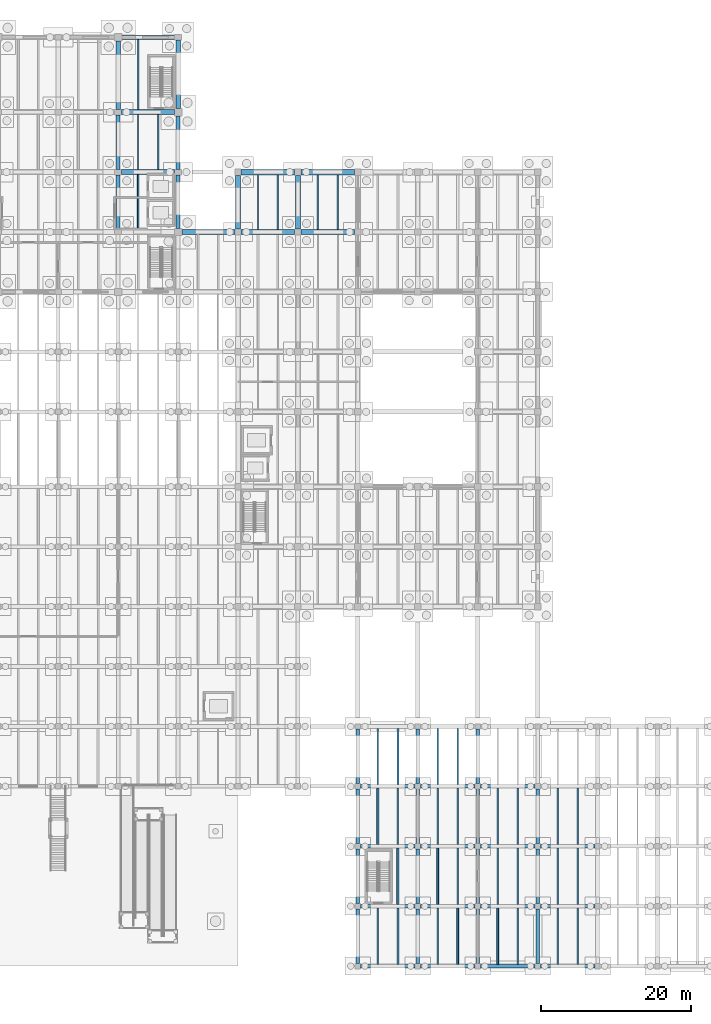
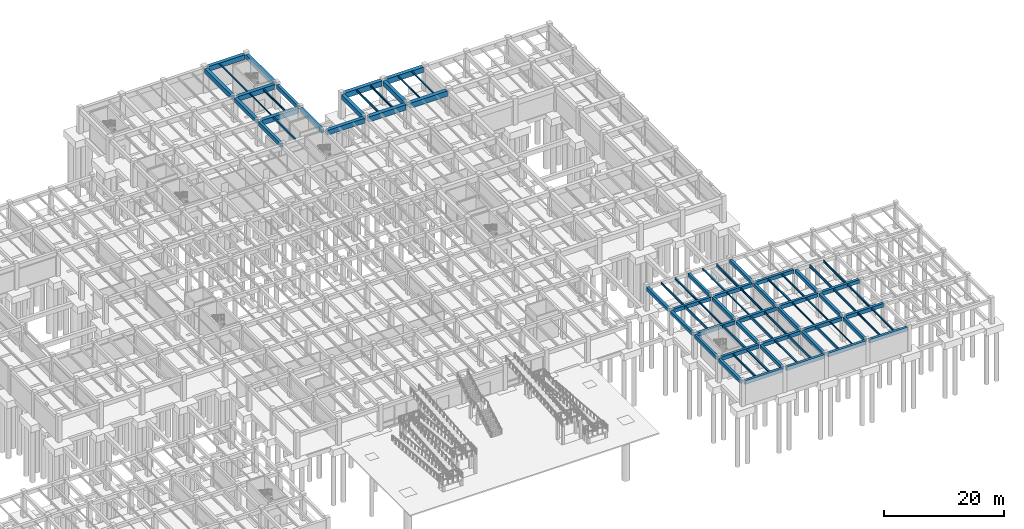
# One storey, part 20 of 44: 81 beams.
"""IFC4 building model written with IfcOpenShell, lengths in metres."""

from ifc_helpers import new_model, si_unit, direction, frame, origin, origin_2d, place, context, subcontext, project, spatial, rectangle, i_section, extrude, material, material_profile, profile_set, type_object, element, save


model = new_model("IFC4")

# Units and contexts
model_context = context("Model", 3, precision=1e-05, world=origin(), true_north=direction((0.0, 1.0)))
body_context = subcontext(model_context, "Body", "Model", "MODEL_VIEW")
ifc_project = project(units=[si_unit("LENGTHUNIT", "METRE"), si_unit("AREAUNIT", "SQUARE_METRE"), si_unit("VOLUMEUNIT", "CUBIC_METRE"), si_unit("PLANEANGLEUNIT", "RADIAN"), si_unit("MASSUNIT", "GRAM", prefix="KILO")], contexts=[model_context])

# Site, building, storey
site_placement = place(None, origin())
site = spatial("IfcSite", under=ifc_project, at=site_placement, CompositionType="ELEMENT")
building_placement = place(site_placement, origin())
building = spatial("IfcBuilding", under=site, at=building_placement, Name="Pecanmere Concourse Central Library", CompositionType="ELEMENT")
storey_placement = place(building_placement, frame((0.0, 0.0, -5.39990234375)))
storey = spatial("IfcBuildingStorey", under=building, at=storey_placement, Name="B1", CompositionType="ELEMENT", Elevation=-5.39990234375)

# Beams
ifc_material_1 = material(Name="Concrete C40/50", Category="concrete")
ifc_material_profile_1 = material_profile(ifc_material_1, rectangle(XDim=0.47998046875, YDim=0.679931640625, at=origin_2d()), Name="RC 480x680")
ifc_profile_set_1 = profile_set([ifc_material_profile_1], Name="Concrete C40/50")
beam_type_1 = type_object("IfcBeamType", Name="GRD_480x680", PredefinedType="USERDEFINED", material=ifc_profile_set_1)
for number, where, z_axis, x_axis, name in (
    (1, (128.0, 0.35009765625, 4.639892578125), (0.0, 1.0, 0.0), (-1.0, 0.0, 0.0), "Primary Girder Y L01-0364"),
    (2, (128.0, 8.35009765625, 4.639892578125), (0.0, 1.0, 0.0), (-1.0, 0.0, 0.0), "Primary Girder Y L01-0365"),
    (3, (128.0, 16.35009765625, 4.639892578125), (0.0, 1.0, 0.0), (-1.0, 0.0, 0.0), "Primary Girder Y L01-0366"),
    (4, (128.0, 24.35009765625, 4.639892578125), (0.0, 1.0, 0.0), (-1.0, 0.0, 0.0), "Primary Girder Y L01-0367"),
    (5, (136.0, 0.35009765625, 4.639892578125), (0.0, 1.0, 0.0), (-1.0, 0.0, 0.0), "Primary Girder Y L01-0375"),
    (6, (136.0, 8.35009765625, 4.639892578125), (0.0, 1.0, 0.0), (-1.0, 0.0, 0.0), "Primary Girder Y L01-0376"),
    (7, (136.0, 16.35009765625, 4.639892578125), (0.0, 1.0, 0.0), (-1.0, 0.0, 0.0), "Primary Girder Y L01-0377"),
    (8, (136.0, 24.35009765625, 4.639892578125), (0.0, 1.0, 0.0), (-1.0, 0.0, 0.0), "Primary Girder Y L01-0378"),
    (9, (144.0, 0.35009765625, 4.639892578125), (0.0, 1.0, 0.0), (-1.0, 0.0, 0.0), "Primary Girder Y L01-0383"),
    (10, (144.0, 8.35009765625, 4.639892578125), (0.0, 1.0, 0.0), (-1.0, 0.0, 0.0), "Primary Girder Y L01-0384"),
    (11, (144.0, 16.35009765625, 4.639892578125), (0.0, 1.0, 0.0), (-1.0, 0.0, 0.0), "Primary Girder Y L01-0385"),
    (12, (144.0, 24.35009765625, 4.639892578125), (0.0, 1.0, 0.0), (-1.0, 0.0, 0.0), "Primary Girder Y L01-0386"),
    (13, (152.0, 0.35009765625, 4.639892578125), (0.0, 1.0, 0.0), (-1.0, 0.0, 0.0), "Primary Girder Y L01-0394"),
    (14, (152.0, 8.35009765625, 4.639892578125), (0.0, 1.0, 0.0), (-1.0, 0.0, 0.0), "Primary Girder Y L01-0395"),
    (15, (152.0, 16.35009765625, 4.639892578125), (0.0, 1.0, 0.0), (-1.0, 0.0, 0.0), "Primary Girder Y L01-0396"),
):
    element("IfcBeam", number, at=place(storey_placement, frame(where, z_axis=z_axis, x_axis=x_axis)), inside=storey, type_object=beam_type_1, Name=name, ObjectType="GIRDER", PredefinedType="USERDEFINED", context=body_context, shape_type="SweptSolid", body=[
        extrude(rectangle(XDim=0.47998046875, YDim=0.679931640625, at=origin_2d()), origin(), (0.0, 0.0, 1.0), 7.2998046875),
    ])
ifc_material_2 = material(Name="Concrete C40/50", Category="concrete")
ifc_material_profile_2 = material_profile(ifc_material_2, rectangle(XDim=0.5, YDim=0.739990234375, at=origin_2d()), Name="RC 500x740")
ifc_profile_set_2 = profile_set([ifc_material_profile_2], Name="Concrete C40/50")
beam_type_2 = type_object("IfcBeamType", Name="GRD_500x740", PredefinedType="USERDEFINED", material=ifc_profile_set_2)
for number, where, z_axis, x_axis, name in (
    (16, (128.35009765625, 0.0, 4.60986328125), (1.0, 0.0, 0.0), (0.0, 1.0, 0.0), "Primary Girder X L01-0007"),
    (17, (136.35009765625, 0.0, 4.60986328125), (1.0, 0.0, 0.0), (0.0, 1.0, 0.0), "Primary Girder X L01-0008"),
    (18, (144.35009765625, 0.0, 4.60986328125), (1.0, 0.0, 0.0), (0.0, 1.0, 0.0), "Primary Girder X L01-0009"),
    (19, (152.35009765625, 0.0, 4.60986328125), (1.0, 0.0, 0.0), (0.0, 1.0, 0.0), "Primary Girder X L01-0010"),
    (20, (128.35009765625, 8.0, 4.60986328125), (1.0, 0.0, 0.0), (0.0, 1.0, 0.0), "Primary Girder X L01-0019"),
    (21, (136.35009765625, 8.0, 4.60986328125), (1.0, 0.0, 0.0), (0.0, 1.0, 0.0), "Primary Girder X L01-0020"),
    (22, (144.35009765625, 8.0, 4.60986328125), (1.0, 0.0, 0.0), (0.0, 1.0, 0.0), "Primary Girder X L01-0021"),
    (23, (152.35009765625, 8.0, 4.60986328125), (1.0, 0.0, 0.0), (0.0, 1.0, 0.0), "Primary Girder X L01-0022"),
    (24, (128.35009765625, 16.0, 4.60986328125), (1.0, 0.0, 0.0), (0.0, 1.0, 0.0), "Primary Girder X L01-0031"),
    (25, (136.35009765625, 16.0, 4.60986328125), (1.0, 0.0, 0.0), (0.0, 1.0, 0.0), "Primary Girder X L01-0032"),
    (26, (144.35009765625, 16.0, 4.60986328125), (1.0, 0.0, 0.0), (0.0, 1.0, 0.0), "Primary Girder X L01-0033"),
    (27, (152.35009765625, 16.0, 4.60986328125), (1.0, 0.0, 0.0), (0.0, 1.0, 0.0), "Primary Girder X L01-0034"),
    (28, (128.35009765625, 24.0, 4.60986328125), (1.0, 0.0, 0.0), (0.0, 1.0, 0.0), "Primary Girder X L01-0051"),
    (29, (136.35009765625, 24.0, 4.60986328125), (1.0, 0.0, 0.0), (0.0, 1.0, 0.0), "Primary Girder X L01-0052"),
    (30, (144.35009765625, 24.0, 4.60986328125), (1.0, 0.0, 0.0), (0.0, 1.0, 0.0), "Primary Girder X L01-0053"),
):
    element("IfcBeam", number, at=place(storey_placement, frame(where, z_axis=z_axis, x_axis=x_axis)), inside=storey, type_object=beam_type_2, Name=name, ObjectType="GIRDER", PredefinedType="USERDEFINED", context=body_context, shape_type="SweptSolid", body=[
        extrude(rectangle(XDim=0.5, YDim=0.739990234375, at=origin_2d()), origin(), (0.0, 0.0, 1.0), 7.2998046875),
    ])
ifc_material_3 = material(Name="Concrete C40/50", Category="concrete")
ifc_material_profile_3 = material_profile(ifc_material_3, rectangle(XDim=0.5400390625, YDim=0.800048828125, at=origin_2d()), Name="RC 540x800")
ifc_profile_set_3 = profile_set([ifc_material_profile_3], Name="Concrete C40/50")
beam_type_3 = type_object("IfcBeamType", Name="GRD_540x800", PredefinedType="USERDEFINED", material=ifc_profile_set_3)
for number, where, z_axis, x_axis, name in (
    (31, (96.0, 98.360107421875, 4.579833984375), (0.0, 1.0, 0.0), (-1.0, 0.0, 0.0), "Primary Girder Y L01-0329"),
    (32, (96.0, 106.360107421875, 4.579833984375), (0.0, 1.0, 0.0), (-1.0, 0.0, 0.0), "Primary Girder Y L01-0330"),
):
    element("IfcBeam", number, at=place(storey_placement, frame(where, z_axis=z_axis, x_axis=x_axis)), inside=storey, type_object=beam_type_3, Name=name, ObjectType="GIRDER", PredefinedType="USERDEFINED", context=body_context, shape_type="SweptSolid", body=[
        extrude(rectangle(XDim=0.5400390625, YDim=0.800048828125, at=origin_2d()), origin(), (0.0, 0.0, 1.0), 7.27978515625),
    ])
for number, where, z_axis, x_axis, name in (
    (33, (104.0, 98.489990234375, 4.579833984375), (0.0, 1.0, 0.0), (-1.0, 0.0, 0.0), "Primary Girder Y L01-0341"),
    (34, (104.0, 106.360107421875, 4.579833984375), (0.0, 1.0, 0.0), (-1.0, 0.0, 0.0), "Primary Girder Y L01-0342"),
):
    element("IfcBeam", number, at=place(storey_placement, frame(where, z_axis=z_axis, x_axis=x_axis)), inside=storey, type_object=beam_type_3, Name=name, ObjectType="GIRDER", PredefinedType="USERDEFINED", context=body_context, shape_type="SweptSolid", body=[
        extrude(rectangle(XDim=0.5400390625, YDim=0.800048828125, at=origin_2d()), origin(), (0.0, 0.0, 1.0), 7.14990234375),
    ])
ifc_material_4 = material(Name="Concrete C40/50", Category="concrete")
ifc_material_profile_4 = material_profile(ifc_material_4, rectangle(XDim=0.6201171875, YDim=0.919921875, at=origin_2d()), Name="RC 620x920")
ifc_profile_set_4 = profile_set([ifc_material_profile_4], Name="Concrete C40/50")
beam_type_4 = type_object("IfcBeamType", Name="GRD_620x920", PredefinedType="USERDEFINED", material=ifc_profile_set_4)
for number, where, z_axis, x_axis, name in (
    (35, (96.0, 114.360107421875, 4.52001953125), (0.0, 1.0, 0.0), (-1.0, 0.0, 0.0), "Primary Girder Y L01-0331"),
    (36, (104.0, 114.489990234375, 4.52001953125), (0.0, 1.0, 0.0), (-1.0, 0.0, 0.0), "Primary Girder Y L01-0343"),
):
    element("IfcBeam", number, at=place(storey_placement, frame(where, z_axis=z_axis, x_axis=x_axis)), inside=storey, type_object=beam_type_4, Name=name, ObjectType="GIRDER", PredefinedType="USERDEFINED", context=body_context, shape_type="SweptSolid", body=[
        extrude(rectangle(XDim=0.6201171875, YDim=0.919921875, at=origin_2d()), origin(), (0.0, 0.0, 1.0), 9.14990234375),
    ])
ifc_material_5 = material(Name="Concrete C40/50", Category="concrete")
ifc_material_profile_5 = material_profile(ifc_material_5, rectangle(XDim=0.639892578125, YDim=0.949951171875, at=origin_2d()), Name="RC 640x950")
ifc_profile_set_5 = profile_set([ifc_material_profile_5], Name="Concrete C40/50")
beam_type_5 = type_object("IfcBeamType", Name="GRD_640x950", PredefinedType="USERDEFINED", material=ifc_profile_set_5)
for number, where, z_axis, x_axis, name in (
    (37, (112.0, 98.429931640625, 4.5048828125), (0.0, 1.0, 0.0), (-1.0, 0.0, 0.0), "Primary Girder Y L01-0353"),
    (38, (120.0, 98.429931640625, 4.5048828125), (0.0, 1.0, 0.0), (-1.0, 0.0, 0.0), "Primary Girder Y L01-0363"),
):
    element("IfcBeam", number, at=place(storey_placement, frame(where, z_axis=z_axis, x_axis=x_axis)), inside=storey, type_object=beam_type_5, Name=name, ObjectType="GIRDER", PredefinedType="USERDEFINED", context=body_context, shape_type="SweptSolid", body=[
        extrude(rectangle(XDim=0.639892578125, YDim=0.949951171875, at=origin_2d()), origin(), (0.0, 0.0, 1.0), 7.14013671875),
    ])
ifc_material_6 = material(Name="Concrete C40/50", Category="concrete")
ifc_material_profile_6 = material_profile(ifc_material_6, rectangle(XDim=0.659912109375, YDim=0.97998046875, at=origin_2d()), Name="RC 660x980")
ifc_profile_set_6 = profile_set([ifc_material_profile_6], Name="Concrete C40/50")
beam_type_6 = type_object("IfcBeamType", Name="GRD_660x980", PredefinedType="USERDEFINED", material=ifc_profile_set_6)
for number, where, z_axis, x_axis, name in (
    (39, (104.489990234375, 98.0, 4.489990234375), (1.0, 0.0, 0.0), (0.0, 1.0, 0.0), "Primary Girder X L01-0183"),
    (40, (96.4599609375, 106.0, 4.489990234375), (1.0, 0.0, 0.0), (0.0, 1.0, 0.0), "Primary Girder X L01-0197"),
):
    element("IfcBeam", number, at=place(storey_placement, frame(where, z_axis=z_axis, x_axis=x_axis)), inside=storey, type_object=beam_type_6, Name=name, ObjectType="GIRDER", PredefinedType="USERDEFINED", context=body_context, shape_type="SweptSolid", body=[
        extrude(rectangle(XDim=0.659912109375, YDim=0.97998046875, at=origin_2d()), origin(), (0.0, 0.0, 1.0), 7.080078125),
    ])
for number, where, z_axis, x_axis, name in (
    (41, (96.4599609375, 114.0, 4.489990234375), (1.0, 0.0, 0.0), (0.0, 1.0, 0.0), "Primary Girder X L01-0206"),
    (42, (96.489990234375, 124.0, 4.489990234375), (1.0, 0.0, 0.0), (0.0, 1.0, 0.0), "Primary Girder X L01-0210"),
):
    element("IfcBeam", number, at=place(storey_placement, frame(where, z_axis=z_axis, x_axis=x_axis)), inside=storey, type_object=beam_type_6, Name=name, ObjectType="GIRDER", PredefinedType="USERDEFINED", context=body_context, shape_type="SweptSolid", body=[
        extrude(rectangle(XDim=0.659912109375, YDim=0.97998046875, at=origin_2d()), origin(), (0.0, 0.0, 1.0), 7.050048828125),
    ])
ifc_material_7 = material(Name="Concrete C40/50", Category="concrete")
ifc_material_profile_7 = material_profile(ifc_material_7, rectangle(XDim=0.719970703125, YDim=1.080078125, at=origin_2d()), Name="RC 720x1080")
ifc_profile_set_7 = profile_set([ifc_material_profile_7], Name="Concrete C40/50")
beam_type_7 = type_object("IfcBeamType", Name="GRD_720x1080", PredefinedType="USERDEFINED", material=ifc_profile_set_7)
for number, where, z_axis, x_axis, name in (
    (43, (112.429931640625, 98.0, 4.43994140625), (1.0, 0.0, 0.0), (0.0, 1.0, 0.0), "Primary Girder X L01-0184"),
    (44, (120.429931640625, 98.0, 4.43994140625), (1.0, 0.0, 0.0), (0.0, 1.0, 0.0), "Primary Girder X L01-0185"),
    (45, (112.429931640625, 106.0, 4.43994140625), (1.0, 0.0, 0.0), (0.0, 1.0, 0.0), "Primary Girder X L01-0198"),
    (46, (120.429931640625, 106.0, 4.43994140625), (1.0, 0.0, 0.0), (0.0, 1.0, 0.0), "Primary Girder X L01-0199"),
):
    element("IfcBeam", number, at=place(storey_placement, frame(where, z_axis=z_axis, x_axis=x_axis)), inside=storey, type_object=beam_type_7, Name=name, ObjectType="GIRDER", PredefinedType="USERDEFINED", context=body_context, shape_type="SweptSolid", body=[
        extrude(rectangle(XDim=0.719970703125, YDim=1.080078125, at=origin_2d()), origin(), (0.0, 0.0, 1.0), 7.14013671875),
    ])
ifc_material_8 = material(Name="Concrete C40/50", Category="concrete")
ifc_material_profile_8 = material_profile(ifc_material_8, rectangle(XDim=0.219970703125, YDim=0.409912109375, at=origin_2d()), Name="RC 220x410")
ifc_profile_set_8 = profile_set([ifc_material_profile_8], Name="Concrete C40/50")
beam_type_8 = type_object("IfcBeamType", Name="JST_RC_220x410", PredefinedType="JOIST", material=ifc_profile_set_8)
beam_1_placement = place(storey_placement, frame((98.666748046875, 98.330078125, 4.77490234375), z_axis=(0.0, 1.0, 0.0), x_axis=(-1.0, 0.0, 0.0)))
element("IfcBeam", 47, at=beam_1_placement, inside=storey, type_object=beam_type_8, Name="Secondary Floor Joist L01-0629", PredefinedType="JOIST", context=body_context, shape_type="SweptSolid", body=[
    extrude(rectangle(XDim=0.219970703125, YDim=0.409912109375, at=origin_2d()), origin(), (0.0, 0.0, 1.0), 7.33984375),
])
ifc_material_9 = material(Name="Concrete C40/50", Category="concrete")
ifc_material_profile_9 = material_profile(ifc_material_9, rectangle(XDim=0.25, YDim=0.449951171875, at=origin_2d()), Name="RC 250x450")
ifc_profile_set_9 = profile_set([ifc_material_profile_9], Name="Concrete C40/50")
beam_type_9 = type_object("IfcBeamType", Name="JST_RC_250x450", PredefinedType="JOIST", material=ifc_profile_set_9)
for number, where, z_axis, x_axis, name in (
    (48, (133.333251953125, 8.25, 4.7548828125), (0.0, 1.0, 0.0), (-1.0, 0.0, 0.0), "Secondary Floor Joist L01-0684"),
    (49, (130.666748046875, 16.25, 4.7548828125), (0.0, 1.0, 0.0), (-1.0, 0.0, 0.0), "Secondary Floor Joist L01-0685"),
    (50, (141.333251953125, 0.25, 4.7548828125), (0.0, 1.0, 0.0), (-1.0, 0.0, 0.0), "Secondary Floor Joist L01-0698"),
    (51, (138.666748046875, 8.25, 4.7548828125), (0.0, 1.0, 0.0), (-1.0, 0.0, 0.0), "Secondary Floor Joist L01-0699"),
    (52, (146.666748046875, 0.25, 4.7548828125), (0.0, 1.0, 0.0), (-1.0, 0.0, 0.0), "Secondary Floor Joist L01-0713"),
):
    element("IfcBeam", number, at=place(storey_placement, frame(where, z_axis=z_axis, x_axis=x_axis)), inside=storey, type_object=beam_type_9, Name=name, PredefinedType="JOIST", context=body_context, shape_type="SweptSolid", body=[
        extrude(rectangle(XDim=0.25, YDim=0.449951171875, at=origin_2d()), origin(), (0.0, 0.0, 1.0), 7.5),
    ])
ifc_material_10 = material(Name="Structural steel ASTM A992 Grade 50", Category="steel")
ifc_material_profile_10 = material_profile(ifc_material_10, i_section(OverallWidth=0.152099609375, OverallDepth=0.152099609375, WebThickness=0.005859375, FlangeThickness=0.006591796875, at=origin_2d()), Name="W150x22.5")
ifc_profile_set_10 = profile_set([ifc_material_profile_10], Name="Structural steel ASTM A992 Grade 50")
beam_type_10 = type_object("IfcBeamType", Name="SBM_W150x22", PredefinedType="LINTEL", material=ifc_profile_set_10)
beam_2_placement = place(storey_placement, frame((98.666748046875, 106.330078125, 4.90380859375), z_axis=(0.0, 1.0, 0.0), x_axis=(-1.0, 0.0, 0.0)))
element("IfcBeam", 53, at=beam_2_placement, inside=storey, type_object=beam_type_10, Name="Secondary Floor Joist L01-0630", PredefinedType="LINTEL", context=body_context, shape_type="SweptSolid", body=[
    extrude(i_section(OverallWidth=0.152099609375, OverallDepth=0.152099609375, WebThickness=0.005859375, FlangeThickness=0.006591796875, at=origin_2d()), origin(), (0.0, 0.0, 1.0), 7.33984375),
])
ifc_material_11 = material(Name="Structural steel ASTM A992 Grade 50", Category="steel")
ifc_material_profile_11 = material_profile(ifc_material_11, i_section(OverallWidth=0.1650390625, OverallDepth=0.200927734375, WebThickness=0.006103515625, FlangeThickness=0.01025390625, at=origin_2d()), Name="W200x35.9")
ifc_profile_set_11 = profile_set([ifc_material_profile_11], Name="Structural steel ASTM A992 Grade 50")
beam_type_11 = type_object("IfcBeamType", Name="SBM_W200x36", PredefinedType="LINTEL", material=ifc_profile_set_11)
beam_3_placement = place(storey_placement, frame((149.333251953125, 0.25, 4.87939453125), z_axis=(0.0, 1.0, 0.0), x_axis=(-1.0, 0.0, 0.0)))
element("IfcBeam", 54, at=beam_3_placement, inside=storey, type_object=beam_type_11, Name="Secondary Floor Joist L01-0714", PredefinedType="LINTEL", context=body_context, shape_type="SweptSolid", body=[
    extrude(i_section(OverallWidth=0.1650390625, OverallDepth=0.200927734375, WebThickness=0.006103515625, FlangeThickness=0.01025390625, at=origin_2d()), origin(), (0.0, 0.0, 1.0), 7.5),
])
ifc_material_12 = material(Name="Structural steel ASTM A992 Grade 50", Category="steel")
ifc_material_profile_12 = material_profile(ifc_material_12, i_section(OverallWidth=0.2041015625, OverallDepth=0.2060546875, WebThickness=0.0078125, FlangeThickness=0.0126953125, at=origin_2d()), Name="W200x52")
ifc_profile_set_12 = profile_set([ifc_material_profile_12], Name="Structural steel ASTM A992 Grade 50")
beam_type_12 = type_object("IfcBeamType", Name="SBM_W200x52", PredefinedType="JOIST", material=ifc_profile_set_12)
beam_4_placement = place(storey_placement, frame((98.666748046875, 114.330078125, 4.876953125), z_axis=(0.0, 1.0, 0.0), x_axis=(-1.0, 0.0, 0.0)))
element("IfcBeam", 55, at=beam_4_placement, inside=storey, type_object=beam_type_12, Name="Secondary Floor Joist L01-0632", PredefinedType="JOIST", context=body_context, shape_type="SweptSolid", body=[
    extrude(i_section(OverallWidth=0.2041015625, OverallDepth=0.2060546875, WebThickness=0.0078125, FlangeThickness=0.0126953125, at=origin_2d()), origin(), (0.0, 0.0, 1.0), 9.33984375),
])
beam_5_placement = place(storey_placement, frame((125.333251953125, 98.360107421875, 4.876953125), z_axis=(0.0, 1.0, 0.0), x_axis=(-1.0, 0.0, 0.0)))
element("IfcBeam", 56, at=beam_5_placement, inside=storey, type_object=beam_type_12, Name="Secondary Floor Joist L01-0681", PredefinedType="JOIST", context=body_context, shape_type="SweptSolid", body=[
    extrude(i_section(OverallWidth=0.2041015625, OverallDepth=0.2060546875, WebThickness=0.0078125, FlangeThickness=0.0126953125, at=origin_2d()), origin(), (0.0, 0.0, 1.0), 7.27978515625),
])
beam_6_placement = place(storey_placement, frame((138.666748046875, 16.25, 4.876953125), z_axis=(0.0, 1.0, 0.0), x_axis=(-1.0, 0.0, 0.0)))
element("IfcBeam", 57, at=beam_6_placement, inside=storey, type_object=beam_type_12, Name="Secondary Floor Joist L01-0701", PredefinedType="JOIST", context=body_context, shape_type="SweptSolid", body=[
    extrude(i_section(OverallWidth=0.2041015625, OverallDepth=0.2060546875, WebThickness=0.0078125, FlangeThickness=0.0126953125, at=origin_2d()), origin(), (0.0, 0.0, 1.0), 7.5),
])
ifc_material_13 = material(Name="Structural steel ASTM A992 Grade 50", Category="steel")
ifc_material_profile_13 = material_profile(ifc_material_13, i_section(OverallWidth=0.201904296875, OverallDepth=0.2470703125, WebThickness=0.00732421875, FlangeThickness=0.010986328125, at=origin_2d()), Name="W250x49.1")
ifc_profile_set_13 = profile_set([ifc_material_profile_13], Name="Structural steel ASTM A992 Grade 50")
beam_type_13 = type_object("IfcBeamType", Name="SBM_W250x49", PredefinedType="JOIST", material=ifc_profile_set_13)
beam_7_placement = place(storey_placement, frame((122.666748046875, 98.360107421875, 4.8564453125), z_axis=(0.0, 1.0, 0.0), x_axis=(-1.0, 0.0, 0.0)))
element("IfcBeam", 58, at=beam_7_placement, inside=storey, type_object=beam_type_13, Name="Secondary Floor Joist L01-0680", PredefinedType="JOIST", context=body_context, shape_type="SweptSolid", body=[
    extrude(i_section(OverallWidth=0.201904296875, OverallDepth=0.2470703125, WebThickness=0.00732421875, FlangeThickness=0.010986328125, at=origin_2d()), origin(), (0.0, 0.0, 1.0), 7.27978515625),
])
beam_8_placement = place(storey_placement, frame((149.333251953125, 8.25, 4.8564453125), z_axis=(0.0, 1.0, 0.0), x_axis=(-1.0, 0.0, 0.0)))
element("IfcBeam", 59, at=beam_8_placement, inside=storey, type_object=beam_type_13, Name="Secondary Floor Joist L01-0716", PredefinedType="JOIST", context=body_context, shape_type="SweptSolid", body=[
    extrude(i_section(OverallWidth=0.201904296875, OverallDepth=0.2470703125, WebThickness=0.00732421875, FlangeThickness=0.010986328125, at=origin_2d()), origin(), (0.0, 0.0, 1.0), 7.5),
])
ifc_material_14 = material(Name="Structural steel ASTM A992 Grade 50", Category="steel")
ifc_material_profile_14 = material_profile(ifc_material_14, i_section(OverallWidth=0.25390625, OverallDepth=0.2529296875, WebThickness=0.008544921875, FlangeThickness=0.01416015625, at=origin_2d()), Name="W250x73")
ifc_profile_set_14 = profile_set([ifc_material_profile_14], Name="Structural steel ASTM A992 Grade 50")
beam_type_14 = type_object("IfcBeamType", Name="SBM_W250x73", PredefinedType="BEAM", material=ifc_profile_set_14)
for number, where, z_axis, x_axis, name in (
    (60, (138.666748046875, 0.25, 4.853515625), (0.0, 1.0, 0.0), (-1.0, 0.0, 0.0), "Secondary Floor Joist L01-0697"),
    (61, (138.666748046875, 24.25, 4.853515625), (0.0, 1.0, 0.0), (-1.0, 0.0, 0.0), "Secondary Floor Joist L01-0703"),
):
    element("IfcBeam", number, at=place(storey_placement, frame(where, z_axis=z_axis, x_axis=x_axis)), inside=storey, type_object=beam_type_14, Name=name, PredefinedType="BEAM", context=body_context, shape_type="SweptSolid", body=[
        extrude(i_section(OverallWidth=0.25390625, OverallDepth=0.2529296875, WebThickness=0.008544921875, FlangeThickness=0.01416015625, at=origin_2d()), origin(), (0.0, 0.0, 1.0), 7.5),
    ])
ifc_material_15 = material(Name="Structural steel ASTM A992 Grade 50", Category="steel")
ifc_material_profile_15 = material_profile(ifc_material_15, i_section(OverallWidth=0.1669921875, OverallDepth=0.31689453125, WebThickness=0.007568359375, FlangeThickness=0.01318359375, at=origin_2d()), Name="W310x52")
ifc_profile_set_15 = profile_set([ifc_material_profile_15], Name="Structural steel ASTM A992 Grade 50")
beam_type_15 = type_object("IfcBeamType", Name="SBM_W310x52", PredefinedType="JOIST", material=ifc_profile_set_15)
for number, where, z_axis, x_axis, name in (
    (62, (133.333251953125, 16.25, 4.8212890625), (0.0, 1.0, 0.0), (-1.0, 0.0, 0.0), "Secondary Floor Joist L01-0686"),
    (63, (146.666748046875, 8.25, 4.8212890625), (0.0, 1.0, 0.0), (-1.0, 0.0, 0.0), "Secondary Floor Joist L01-0715"),
):
    element("IfcBeam", number, at=place(storey_placement, frame(where, z_axis=z_axis, x_axis=x_axis)), inside=storey, type_object=beam_type_15, Name=name, PredefinedType="JOIST", context=body_context, shape_type="SweptSolid", body=[
        extrude(i_section(OverallWidth=0.1669921875, OverallDepth=0.31689453125, WebThickness=0.007568359375, FlangeThickness=0.01318359375, at=origin_2d()), origin(), (0.0, 0.0, 1.0), 7.5),
    ])
ifc_material_16 = material(Name="Structural steel ASTM A992 Grade 50", Category="steel")
ifc_material_profile_16 = material_profile(ifc_material_16, i_section(OverallWidth=0.205078125, OverallDepth=0.31005859375, WebThickness=0.009521484375, FlangeThickness=0.016357421875, at=origin_2d()), Name="W310x74")
ifc_profile_set_16 = profile_set([ifc_material_profile_16], Name="Structural steel ASTM A992 Grade 50")
beam_type_16 = type_object("IfcBeamType", Name="SBM_W310x74", PredefinedType="BEAM", material=ifc_profile_set_16)
beam_9_placement = place(storey_placement, frame((149.333251953125, 16.25, 4.824951171875), z_axis=(0.0, 1.0, 0.0), x_axis=(-1.0, 0.0, 0.0)))
element("IfcBeam", 64, at=beam_9_placement, inside=storey, type_object=beam_type_16, Name="Secondary Floor Joist L01-0718", PredefinedType="BEAM", context=body_context, shape_type="SweptSolid", body=[
    extrude(i_section(OverallWidth=0.205078125, OverallDepth=0.31005859375, WebThickness=0.009521484375, FlangeThickness=0.016357421875, at=origin_2d()), origin(), (0.0, 0.0, 1.0), 7.5),
])
ifc_material_17 = material(Name="Structural steel ASTM A992 Grade 50", Category="steel")
ifc_material_profile_17 = material_profile(ifc_material_17, i_section(OverallWidth=0.202880859375, OverallDepth=0.346923828125, WebThickness=0.0078125, FlangeThickness=0.013427734375, at=origin_2d()), Name="W360x64")
ifc_profile_set_17 = profile_set([ifc_material_profile_17], Name="Structural steel ASTM A992 Grade 50")
beam_type_17 = type_object("IfcBeamType", Name="SBM_W360x64", PredefinedType="JOIST", material=ifc_profile_set_17)
beam_10_placement = place(storey_placement, frame((117.333251953125, 98.360107421875, 4.806396484375), z_axis=(0.0, 1.0, 0.0), x_axis=(-1.0, 0.0, 0.0)))
element("IfcBeam", 65, at=beam_10_placement, inside=storey, type_object=beam_type_17, Name="Secondary Floor Joist L01-0667", PredefinedType="JOIST", context=body_context, shape_type="SweptSolid", body=[
    extrude(i_section(OverallWidth=0.202880859375, OverallDepth=0.346923828125, WebThickness=0.0078125, FlangeThickness=0.013427734375, at=origin_2d()), origin(), (0.0, 0.0, 1.0), 7.27978515625),
])
beam_11_placement = place(storey_placement, frame((157.333251953125, 0.25, 4.806396484375), z_axis=(0.0, 1.0, 0.0), x_axis=(-1.0, 0.0, 0.0)))
element("IfcBeam", 66, at=beam_11_placement, inside=storey, type_object=beam_type_17, Name="Secondary Floor Joist L01-0736", PredefinedType="JOIST", context=body_context, shape_type="SweptSolid", body=[
    extrude(i_section(OverallWidth=0.202880859375, OverallDepth=0.346923828125, WebThickness=0.0078125, FlangeThickness=0.013427734375, at=origin_2d()), origin(), (0.0, 0.0, 1.0), 7.5),
])
ifc_material_18 = material(Name="Structural steel ASTM A992 Grade 50", Category="steel")
ifc_material_profile_18 = material_profile(ifc_material_18, i_section(OverallWidth=0.25390625, OverallDepth=0.35302734375, WebThickness=0.009521484375, FlangeThickness=0.016357421875, at=origin_2d()), Name="W360x91")
ifc_profile_set_18 = profile_set([ifc_material_profile_18], Name="Structural steel ASTM A992 Grade 50")
beam_type_18 = type_object("IfcBeamType", Name="SBM_W360x91", PredefinedType="BEAM", material=ifc_profile_set_18)
for number, where, z_axis, x_axis, name in (
    (67, (133.333251953125, 0.25, 4.803466796875), (0.0, 1.0, 0.0), (-1.0, 0.0, 0.0), "Secondary Floor Joist L01-0683"),
    (68, (133.333251953125, 24.25, 4.803466796875), (0.0, 1.0, 0.0), (-1.0, 0.0, 0.0), "Secondary Floor Joist L01-0688"),
    (69, (146.666748046875, 16.25, 4.803466796875), (0.0, 1.0, 0.0), (-1.0, 0.0, 0.0), "Secondary Floor Joist L01-0717"),
):
    element("IfcBeam", number, at=place(storey_placement, frame(where, z_axis=z_axis, x_axis=x_axis)), inside=storey, type_object=beam_type_18, Name=name, PredefinedType="BEAM", context=body_context, shape_type="SweptSolid", body=[
        extrude(i_section(OverallWidth=0.25390625, OverallDepth=0.35302734375, WebThickness=0.009521484375, FlangeThickness=0.016357421875, at=origin_2d()), origin(), (0.0, 0.0, 1.0), 7.5),
    ])
ifc_material_19 = material(Name="Structural steel ASTM A992 Grade 50", Category="steel")
ifc_material_profile_19 = material_profile(ifc_material_19, i_section(OverallWidth=0.177978515625, OverallDepth=0.406982421875, WebThickness=0.0078125, FlangeThickness=0.0126953125, at=origin_2d()), Name="W410x60")
ifc_profile_set_19 = profile_set([ifc_material_profile_19], Name="Structural steel ASTM A992 Grade 50")
beam_type_19 = type_object("IfcBeamType", Name="SBM_W410x60", PredefinedType="JOIST", material=ifc_profile_set_19)
beam_12_placement = place(storey_placement, frame((101.333251953125, 106.330078125, 4.7763671875), z_axis=(0.0, 1.0, 0.0), x_axis=(-1.0, 0.0, 0.0)))
element("IfcBeam", 70, at=beam_12_placement, inside=storey, type_object=beam_type_19, Name="Secondary Floor Joist L01-0631", PredefinedType="JOIST", context=body_context, shape_type="SweptSolid", body=[
    extrude(i_section(OverallWidth=0.177978515625, OverallDepth=0.406982421875, WebThickness=0.0078125, FlangeThickness=0.0126953125, at=origin_2d()), origin(), (0.0, 0.0, 1.0), 7.33984375),
])
beam_13_placement = place(storey_placement, frame((114.666748046875, 98.360107421875, 4.7763671875), z_axis=(0.0, 1.0, 0.0), x_axis=(-1.0, 0.0, 0.0)))
element("IfcBeam", 71, at=beam_13_placement, inside=storey, type_object=beam_type_19, Name="Secondary Floor Joist L01-0666", PredefinedType="JOIST", context=body_context, shape_type="SweptSolid", body=[
    extrude(i_section(OverallWidth=0.177978515625, OverallDepth=0.406982421875, WebThickness=0.0078125, FlangeThickness=0.0126953125, at=origin_2d()), origin(), (0.0, 0.0, 1.0), 7.27978515625),
])
for number, where, z_axis, x_axis, name in (
    (72, (141.333251953125, 8.25, 4.7763671875), (0.0, 1.0, 0.0), (-1.0, 0.0, 0.0), "Secondary Floor Joist L01-0700"),
    (73, (154.666748046875, 0.25, 4.7763671875), (0.0, 1.0, 0.0), (-1.0, 0.0, 0.0), "Secondary Floor Joist L01-0735"),
):
    element("IfcBeam", number, at=place(storey_placement, frame(where, z_axis=z_axis, x_axis=x_axis)), inside=storey, type_object=beam_type_19, Name=name, PredefinedType="JOIST", context=body_context, shape_type="SweptSolid", body=[
        extrude(i_section(OverallWidth=0.177978515625, OverallDepth=0.406982421875, WebThickness=0.0078125, FlangeThickness=0.0126953125, at=origin_2d()), origin(), (0.0, 0.0, 1.0), 7.5),
    ])
ifc_material_20 = material(Name="Structural steel ASTM A992 Grade 50", Category="steel")
ifc_material_profile_20 = material_profile(ifc_material_20, i_section(OverallWidth=0.180908203125, OverallDepth=0.4169921875, WebThickness=0.010986328125, FlangeThickness=0.018310546875, at=origin_2d()), Name="W410x85")
ifc_profile_set_20 = profile_set([ifc_material_profile_20], Name="Structural steel ASTM A992 Grade 50")
beam_type_20 = type_object("IfcBeamType", Name="SBM_W410x85", PredefinedType="BEAM", material=ifc_profile_set_20)
for number, where, z_axis, x_axis, name in (
    (74, (130.666748046875, 0.25, 4.771484375), (0.0, 1.0, 0.0), (-1.0, 0.0, 0.0), "Secondary Floor Joist L01-0682"),
    (75, (130.666748046875, 24.25, 4.771484375), (0.0, 1.0, 0.0), (-1.0, 0.0, 0.0), "Secondary Floor Joist L01-0687"),
    (76, (157.333251953125, 8.25, 4.771484375), (0.0, 1.0, 0.0), (-1.0, 0.0, 0.0), "Secondary Floor Joist L01-0738"),
):
    element("IfcBeam", number, at=place(storey_placement, frame(where, z_axis=z_axis, x_axis=x_axis)), inside=storey, type_object=beam_type_20, Name=name, PredefinedType="BEAM", context=body_context, shape_type="SweptSolid", body=[
        extrude(i_section(OverallWidth=0.180908203125, OverallDepth=0.4169921875, WebThickness=0.010986328125, FlangeThickness=0.018310546875, at=origin_2d()), origin(), (0.0, 0.0, 1.0), 7.5),
    ])
ifc_material_21 = material(Name="Structural steel ASTM A992 Grade 50", Category="steel")
ifc_material_profile_21 = material_profile(ifc_material_21, i_section(OverallWidth=0.194091796875, OverallDepth=0.468994140625, WebThickness=0.0126953125, FlangeThickness=0.0205078125, at=origin_2d()), Name="W460x106")
ifc_profile_set_21 = profile_set([ifc_material_profile_21], Name="Structural steel ASTM A992 Grade 50")
beam_type_21 = type_object("IfcBeamType", Name="SBM_W460x106", PredefinedType="USERDEFINED", material=ifc_profile_set_21)
beam_14_placement = place(storey_placement, frame((157.333251953125, 16.25, 4.745361328125), z_axis=(0.0, 1.0, 0.0), x_axis=(-1.0, 0.0, 0.0)))
element("IfcBeam", 77, at=beam_14_placement, inside=storey, type_object=beam_type_21, Name="Secondary Floor Joist L01-0740", ObjectType="GIRDER", PredefinedType="USERDEFINED", context=body_context, shape_type="SweptSolid", body=[
    extrude(i_section(OverallWidth=0.194091796875, OverallDepth=0.468994140625, WebThickness=0.0126953125, FlangeThickness=0.0205078125, at=origin_2d()), origin(), (0.0, 0.0, 1.0), 7.5),
])
ifc_material_22 = material(Name="Structural steel ASTM A992 Grade 50", Category="steel")
ifc_material_profile_22 = material_profile(ifc_material_22, i_section(OverallWidth=0.18994140625, OverallDepth=0.45703125, WebThickness=0.009033203125, FlangeThickness=0.014404296875, at=origin_2d()), Name="W460x74")
ifc_profile_set_22 = profile_set([ifc_material_profile_22], Name="Structural steel ASTM A992 Grade 50")
beam_type_22 = type_object("IfcBeamType", Name="SBM_W460x74", PredefinedType="BEAM", material=ifc_profile_set_22)
for number, where, z_axis, x_axis, name in (
    (78, (141.333251953125, 16.25, 4.75146484375), (0.0, 1.0, 0.0), (-1.0, 0.0, 0.0), "Secondary Floor Joist L01-0702"),
    (79, (154.666748046875, 8.25, 4.75146484375), (0.0, 1.0, 0.0), (-1.0, 0.0, 0.0), "Secondary Floor Joist L01-0737"),
):
    element("IfcBeam", number, at=place(storey_placement, frame(where, z_axis=z_axis, x_axis=x_axis)), inside=storey, type_object=beam_type_22, Name=name, PredefinedType="BEAM", context=body_context, shape_type="SweptSolid", body=[
        extrude(i_section(OverallWidth=0.18994140625, OverallDepth=0.45703125, WebThickness=0.009033203125, FlangeThickness=0.014404296875, at=origin_2d()), origin(), (0.0, 0.0, 1.0), 7.5),
    ])
ifc_material_23 = material(Name="Structural steel ASTM A992 Grade 50", Category="steel")
ifc_material_profile_23 = material_profile(ifc_material_23, i_section(OverallWidth=0.208984375, OverallDepth=0.532958984375, WebThickness=0.01025390625, FlangeThickness=0.015625, at=origin_2d()), Name="W530x92")
ifc_profile_set_23 = profile_set([ifc_material_profile_23], Name="Structural steel ASTM A992 Grade 50")
beam_type_23 = type_object("IfcBeamType", Name="SBM_W530x92", PredefinedType="BEAM", material=ifc_profile_set_23)
for number, where, z_axis, x_axis, name in (
    (80, (141.333251953125, 24.25, 4.71337890625), (0.0, 1.0, 0.0), (-1.0, 0.0, 0.0), "Secondary Floor Joist L01-0704"),
    (81, (154.666748046875, 16.25, 4.71337890625), (0.0, 1.0, 0.0), (-1.0, 0.0, 0.0), "Secondary Floor Joist L01-0739"),
):
    element("IfcBeam", number, at=place(storey_placement, frame(where, z_axis=z_axis, x_axis=x_axis)), inside=storey, type_object=beam_type_23, Name=name, PredefinedType="BEAM", context=body_context, shape_type="SweptSolid", body=[
        extrude(i_section(OverallWidth=0.208984375, OverallDepth=0.532958984375, WebThickness=0.01025390625, FlangeThickness=0.015625, at=origin_2d()), origin(), (0.0, 0.0, 1.0), 7.5),
    ])

save(model, "model.ifc")
